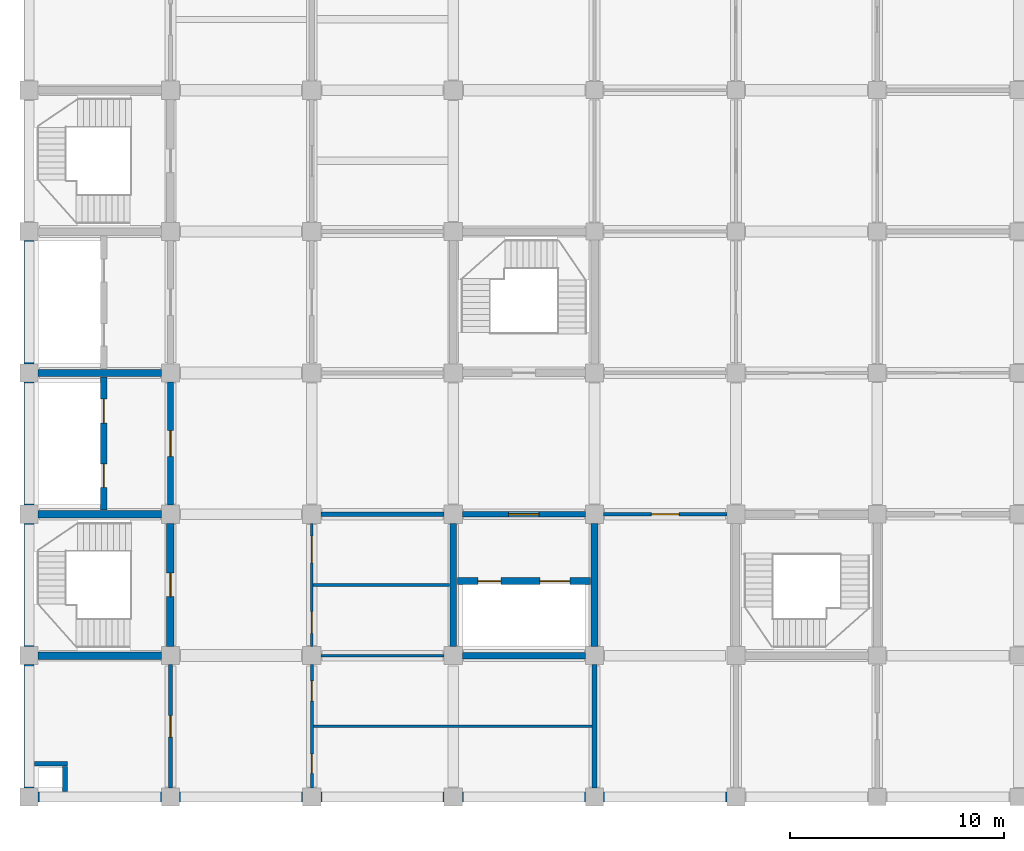
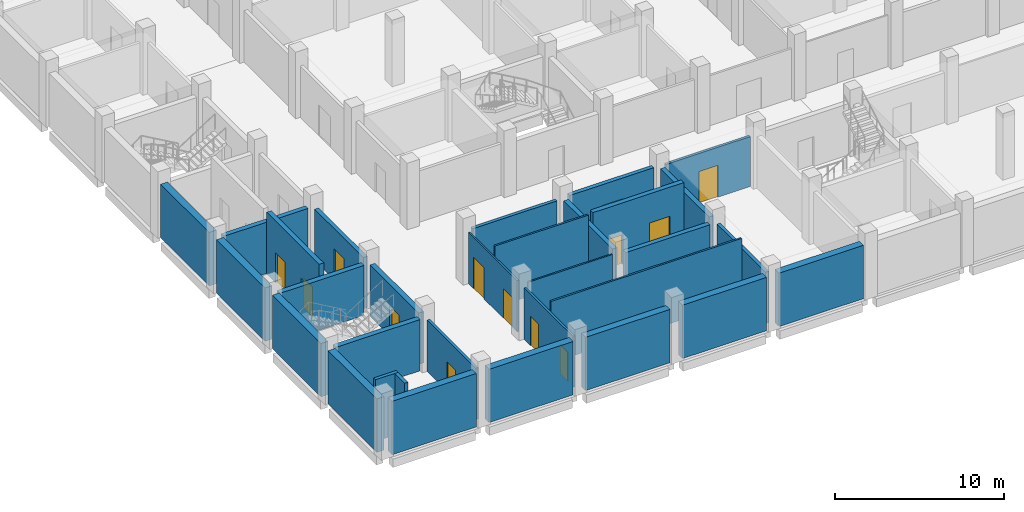
# One storey, part 17 of 34: 31 walls, 13 doors, 13 openings.
"""IFC4 building model written with IfcOpenShell, lengths in metres."""

from ifc_helpers import new_model, si_unit, direction, frame, frame_2d, origin, place, context, subcontext, project, spatial, rectangle, extrude, material, layer, layer_set, type_object, element, fill, save


model = new_model("IFC4")

# Units and contexts
model_context = context("Model", 3, precision=1e-05, world=origin(), true_north=direction((0.0, 1.0)))
body_context = subcontext(model_context, "Body", "Model", "MODEL_VIEW")
ifc_project = project(units=[si_unit("LENGTHUNIT", "METRE"), si_unit("AREAUNIT", "SQUARE_METRE"), si_unit("VOLUMEUNIT", "CUBIC_METRE"), si_unit("PLANEANGLEUNIT", "RADIAN"), si_unit("MASSUNIT", "GRAM", prefix="KILO")], contexts=[model_context])

# Site, building, storey
site_placement = place(None, origin())
site = spatial("IfcSite", under=ifc_project, at=site_placement, CompositionType="ELEMENT")
building_placement = place(site_placement, origin())
building = spatial("IfcBuilding", under=site, at=building_placement, Name="Rusizi Kubbe Research Institute", CompositionType="ELEMENT")
storey_placement = place(building_placement, frame((0.0, 0.0, 5.39990234375)))
storey = spatial("IfcBuildingStorey", under=building, at=storey_placement, Name="L01", CompositionType="ELEMENT", Elevation=5.39990234375)

# Walls
ifc_material_1 = material(Name="Concrete C45/55", Category="concrete")
ifc_layer_1 = layer(ifc_material_1, 0.35009765625)
ifc_layer_set_1 = layer_set([ifc_layer_1], Name="Concrete C45/55")
wall_type_1 = type_object("IfcWallType", Name="CRW-01", PredefinedType="SHEAR", material=ifc_layer_set_1)
wall_1_placement = place(storey_placement, frame((0.425048828125, 6.60009765625, 0.0), z_axis=(0.0, 0.0, 1.0), x_axis=(1.0, 0.0, 0.0)))
element("IfcWall", 1, at=wall_1_placement, inside=storey, type_object=wall_type_1, Name="Stair Core Shear Wall ST1 L01 S", PredefinedType="SHEAR", context=body_context, shape_type="SweptSolid", body=[
    extrude(rectangle(XDim=5.75, YDim=0.35009765625, at=frame_2d((2.875, 0.0))), origin(), (0.0, 0.0, 1.0), 3.7001953125),
])
wall_2_placement = place(storey_placement, frame((0.425048828125, 13.199951171875, 0.0), z_axis=(0.0, 0.0, 1.0), x_axis=(1.0, 0.0, 0.0)))
element("IfcWall", 2, at=wall_2_placement, inside=storey, type_object=wall_type_1, Name="Stair Core Shear Wall ST1 L01 N", PredefinedType="SHEAR", context=body_context, shape_type="SweptSolid", body=[
    extrude(rectangle(XDim=5.75, YDim=0.35009765625, at=frame_2d((2.875, 0.0))), origin(), (0.0, 0.0, 1.0), 3.60009765625),
])

# Wall, opening, door
wall_3_placement = place(storey_placement, frame((6.60009765625, 7.02490234375, 0.0), z_axis=(0.0, 0.0, 1.0), x_axis=(0.0, 1.0, 0.0)))
wall_3 = element("IfcWall", 3, at=wall_3_placement, inside=storey, type_object=wall_type_1, Name="Stair Core Shear Wall ST1 L01 E", PredefinedType="SHEAR", context=body_context, shape_type="SweptSolid", body=[
    extrude(rectangle(XDim=5.75, YDim=0.35009765625, at=frame_2d((2.875, 0.0))), origin(), (0.0, 0.0, 1.0), 3.7001953125),
])
opening_1_placement = place(wall_3_placement, frame((2.324951171875, 0.0, 0.0)))
opening_1 = element("IfcOpeningElement", 4, at=opening_1_placement, cuts=wall_3, Name="Opening D-01", PredefinedType="OPENING", context=body_context, shape_type="SweptSolid", body=[
    extrude(rectangle(XDim=1.10009765625, YDim=2.14990234375, at=frame_2d((0.550048828125, 1.074951171875))), frame((0.0, 0.18505859375, 0.0), z_axis=(0.0, -1.0, 0.0), x_axis=(1.0, 0.0, 0.0)), (0.0, 0.0, 1.0), 0.3701171875),
])
ifc_material_2 = material(Name="Fire-Rated Steel Frame and Acoustic Timber Leaf", Category="wood")
door_type_1 = type_object("IfcDoorType", Name="ID-STAIR-110", OperationType="NOTDEFINED", PredefinedType="DOOR", material=ifc_material_2)
door_1_placement = place(opening_1_placement, origin())
door_1 = element("IfcDoor", 5, at=door_1_placement, inside=storey, type_object=door_type_1, Name="Exit Stair Door ST1 L01", OperationType="SINGLE_SWING_LEFT", OverallHeight=2.14990234375, OverallWidth=1.10009765625, PredefinedType="DOOR", context=body_context, shape_type="SweptSolid", body=[
    extrude(rectangle(XDim=1.10009765625, YDim=2.14990234375, at=frame_2d((0.550048828125, 1.074951171875))), frame((0.0, 0.02490234375, 0.0), z_axis=(0.0, -1.0, 0.0), x_axis=(1.0, 0.0, 0.0)), (0.0, 0.0, 1.0), 0.050048828125),
])
fill(opening_1, door_1)

# Walls
ifc_material_3 = material(Name="Concrete C45/55", Category="concrete")
ifc_layer_2 = layer(ifc_material_3, 0.31494140625)
ifc_layer_set_2 = layer_set([ifc_layer_2], Name="Concrete C45/55")
wall_type_2 = type_object("IfcWallType", Name="CRW-02", PredefinedType="SHEAR", material=ifc_layer_set_2)
wall_4_placement = place(storey_placement, frame((0.425048828125, 19.800048828125, 0.0), z_axis=(0.0, 0.0, 1.0), x_axis=(1.0, 0.0, 0.0)))
element("IfcWall", 6, at=wall_4_placement, inside=storey, type_object=wall_type_2, Name="Lift Core Divider Wall (0,2-3) L01", PredefinedType="SHEAR", context=body_context, shape_type="SweptSolid", body=[
    extrude(rectangle(XDim=5.75, YDim=0.31494140625, at=frame_2d((2.875, 0.0))), origin(), (0.0, 0.0, 1.0), 3.7001953125),
])
wall_5_placement = place(storey_placement, frame((20.22509765625, 6.60009765625, 0.0), z_axis=(0.0, 0.0, 1.0), x_axis=(1.0, 0.0, 0.0)))
element("IfcWall", 7, at=wall_5_placement, inside=storey, type_object=wall_type_2, Name="Lab Lift Core Wall S (3,1) L01", PredefinedType="SHEAR", context=body_context, shape_type="SweptSolid", body=[
    extrude(rectangle(XDim=5.75, YDim=0.31494140625, at=frame_2d((2.875, 0.0))), origin(), (0.0, 0.0, 1.0), 3.60009765625),
])
for number, where, z_axis, x_axis, name in (
    (8, (19.800048828125, 7.02490234375, 0.0), (0.0, 0.0, 1.0), (0.0, 1.0, 0.0), "Lab Lift Core Wall W (3,1) L01"),
    (9, (26.39990234375, 7.02490234375, 0.0), (0.0, 0.0, 1.0), (0.0, 1.0, 0.0), "Lab Lift Core Wall E (3,1) L01"),
):
    element("IfcWall", number, at=place(storey_placement, frame(where, z_axis=z_axis, x_axis=x_axis)), inside=storey, type_object=wall_type_2, Name=name, PredefinedType="SHEAR", context=body_context, shape_type="SweptSolid", body=[
        extrude(rectangle(XDim=5.75, YDim=0.31494140625, at=frame_2d((2.875, 0.0))), origin(), (0.0, 0.0, 1.0), 3.7001953125),
    ])

# Wall, openings, doors
wall_6_placement = place(storey_placement, frame((3.47998046875, 13.39990234375, 0.0), z_axis=(0.0, 0.0, 1.0), x_axis=(0.0, 1.0, 0.0)))
wall_6 = element("IfcWall", 10, at=wall_6_placement, inside=storey, type_object=wall_type_2, Name="Firefighting Lift Shaft Front Wall L01", PredefinedType="SHEAR", context=body_context, shape_type="SweptSolid", body=[
    extrude(rectangle(XDim=6.2001953125, YDim=0.31494140625, at=frame_2d((3.10009765625, 0.0))), origin(), (0.0, 0.0, 1.0), 4.4501953125),
])
opening_2_placement = place(wall_6_placement, frame((1.050048828125, 0.0, 0.0)))
opening_2 = element("IfcOpeningElement", 11, at=opening_2_placement, cuts=wall_6, Name="Opening LD-01", PredefinedType="OPENING", context=body_context, shape_type="SweptSolid", body=[
    extrude(rectangle(XDim=1.10009765625, YDim=2.14990234375, at=frame_2d((0.550048828125, 1.074951171875))), frame((0.0, 0.16748046875, 0.0), z_axis=(0.0, -1.0, 0.0), x_axis=(1.0, 0.0, 0.0)), (0.0, 0.0, 1.0), 0.3349609375),
])
opening_3_placement = place(wall_6_placement, frame((4.050048828125, 0.0, 0.0)))
opening_3 = element("IfcOpeningElement", 12, at=opening_3_placement, cuts=wall_6, Name="Opening LD-02", PredefinedType="OPENING", context=body_context, shape_type="SweptSolid", body=[
    extrude(rectangle(XDim=1.1201171875, YDim=2.14990234375, at=frame_2d((0.56005859375, 1.074951171875))), frame((0.0, 0.16748046875, 0.0), z_axis=(0.0, -1.0, 0.0), x_axis=(1.0, 0.0, 0.0)), (0.0, 0.0, 1.0), 0.3349609375),
])
ifc_material_4 = material(Name="Brushed Stainless Steel Sliding Door", Category="steel")
door_type_2 = type_object("IfcDoorType", Name="LD-01", OperationType="DOUBLE_DOOR_SLIDING", PredefinedType="USERDEFINED", material=ifc_material_4)
door_2_placement = place(opening_2_placement, origin())
door_2 = element("IfcDoor", 13, at=door_2_placement, inside=storey, type_object=door_type_2, Name="Lift Landing Sliding Door FL1 L01", ObjectType="SLIDING DOOR", OperationType="DOUBLE_DOOR_SLIDING", OverallHeight=2.14990234375, OverallWidth=1.10009765625, PredefinedType="USERDEFINED", context=body_context, shape_type="SweptSolid", body=[
    extrude(rectangle(XDim=1.10009765625, YDim=2.14990234375, at=frame_2d((0.550048828125, 1.074951171875))), frame((0.0, 0.02490234375, 0.0), z_axis=(0.0, -1.0, 0.0), x_axis=(1.0, 0.0, 0.0)), (0.0, 0.0, 1.0), 0.050048828125),
])
fill(opening_2, door_2)
ifc_material_5 = material(Name="Brushed Stainless Steel Sliding Door", Category="steel")
door_type_3 = type_object("IfcDoorType", Name="LD-02", OperationType="DOUBLE_DOOR_SLIDING", PredefinedType="USERDEFINED", material=ifc_material_5)
door_3_placement = place(opening_3_placement, origin())
door_3 = element("IfcDoor", 14, at=door_3_placement, inside=storey, type_object=door_type_3, Name="Lift Landing Sliding Door FL2 L01", ObjectType="SLIDING DOOR", OperationType="DOUBLE_DOOR_SLIDING", OverallHeight=2.14990234375, OverallWidth=1.1201171875, PredefinedType="USERDEFINED", context=body_context, shape_type="SweptSolid", body=[
    extrude(rectangle(XDim=1.1201171875, YDim=2.14990234375, at=frame_2d((0.56005859375, 1.074951171875))), frame((0.0, 0.02490234375, 0.0), z_axis=(0.0, -1.0, 0.0), x_axis=(1.0, 0.0, 0.0)), (0.0, 0.0, 1.0), 0.050048828125),
])
fill(opening_3, door_3)

wall_7_placement = place(storey_placement, frame((20.0, 10.080078125, 0.0), z_axis=(0.0, 0.0, 1.0), x_axis=(1.0, 0.0, 0.0)))
wall_7 = element("IfcWall", 15, at=wall_7_placement, inside=storey, type_object=wall_type_2, Name="Goods Lift Shaft Front Wall L01", PredefinedType="SHEAR", context=body_context, shape_type="SweptSolid", body=[
    extrude(rectangle(XDim=6.199951171875, YDim=0.31494140625, at=frame_2d((3.10009765625, 0.0))), origin(), (0.0, 0.0, 1.0), 4.4501953125),
])
opening_4_placement = place(wall_7_placement, frame((0.949951171875, 0.0, 0.0)))
opening_4 = element("IfcOpeningElement", 16, at=opening_4_placement, cuts=wall_7, Name="Opening LD-05", PredefinedType="OPENING", context=body_context, shape_type="SweptSolid", body=[
    extrude(rectangle(XDim=1.080078125, YDim=2.14990234375, at=frame_2d((0.5400390625, 1.074951171875))), frame((0.0, 0.16748046875, 0.0), z_axis=(0.0, -1.0, 0.0), x_axis=(1.0, 0.0, 0.0)), (0.0, 0.0, 1.0), 0.3349609375),
])
opening_5_placement = place(wall_7_placement, frame((3.85009765625, 0.0, 0.0)))
opening_5 = element("IfcOpeningElement", 17, at=opening_5_placement, cuts=wall_7, Name="Opening LD-06", PredefinedType="OPENING", context=body_context, shape_type="SweptSolid", body=[
    extrude(rectangle(XDim=1.39990234375, YDim=2.35009765625, at=frame_2d((0.699951171875, 1.175048828125))), frame((0.0, 0.16748046875, 0.0), z_axis=(0.0, -1.0, 0.0), x_axis=(1.0, 0.0, 0.0)), (0.0, 0.0, 1.0), 0.3349609375),
])
ifc_material_6 = material(Name="Brushed Stainless Steel Sliding Door", Category="steel")
door_type_4 = type_object("IfcDoorType", Name="LD-05", OperationType="DOUBLE_DOOR_SLIDING", PredefinedType="USERDEFINED", material=ifc_material_6)
door_4_placement = place(opening_4_placement, origin())
door_4 = element("IfcDoor", 18, at=door_4_placement, inside=storey, type_object=door_type_4, Name="Lift Landing Sliding Door LP3 L01", ObjectType="SLIDING DOOR", OperationType="DOUBLE_DOOR_SLIDING", OverallHeight=2.14990234375, OverallWidth=1.080078125, PredefinedType="USERDEFINED", context=body_context, shape_type="SweptSolid", body=[
    extrude(rectangle(XDim=1.080078125, YDim=2.14990234375, at=frame_2d((0.5400390625, 1.074951171875))), frame((0.0, 0.02490234375, 0.0), z_axis=(0.0, -1.0, 0.0), x_axis=(1.0, 0.0, 0.0)), (0.0, 0.0, 1.0), 0.050048828125),
])
fill(opening_4, door_4)
ifc_material_7 = material(Name="Brushed Stainless Steel Sliding Door", Category="steel")
door_type_5 = type_object("IfcDoorType", Name="LD-06", OperationType="DOUBLE_DOOR_SLIDING", PredefinedType="USERDEFINED", material=ifc_material_7)
door_5_placement = place(opening_5_placement, origin())
door_5 = element("IfcDoor", 19, at=door_5_placement, inside=storey, type_object=door_type_5, Name="Lift Landing Sliding Door LG1 L01", ObjectType="SLIDING DOOR", OperationType="DOUBLE_DOOR_SLIDING", OverallHeight=2.35009765625, OverallWidth=1.39990234375, PredefinedType="USERDEFINED", context=body_context, shape_type="SweptSolid", body=[
    extrude(rectangle(XDim=1.39990234375, YDim=2.35009765625, at=frame_2d((0.699951171875, 1.175048828125))), frame((0.0, 0.02490234375, 0.0), z_axis=(0.0, -1.0, 0.0), x_axis=(1.0, 0.0, 0.0)), (0.0, 0.0, 1.0), 0.050048828125),
])
fill(opening_5, door_5)

# Walls
ifc_material_8 = material(Name="Concrete Blockwork Fire Partition", Category="masonry")
ifc_layer_3 = layer(ifc_material_8, 0.22509765625)
ifc_layer_set_3 = layer_set([ifc_layer_3], Name="Concrete Blockwork Fire Partition")
wall_type_3 = type_object("IfcWallType", Name="IW-01", PredefinedType="PARTITIONING", material=ifc_layer_set_3)
wall_8_placement = place(storey_placement, frame((1.679931640625, 0.260009765625, 0.0), z_axis=(0.0, 0.0, 1.0), x_axis=(0.0, 1.0, 0.0)))
element("IfcWall", 20, at=wall_8_placement, inside=storey, type_object=wall_type_3, Name="Riser Shaft Wall E L01", PredefinedType="PARTITIONING", context=body_context, shape_type="SweptSolid", body=[
    extrude(rectangle(XDim=1.169921875, YDim=0.22509765625, at=frame_2d((0.5849609375, 0.0))), origin(), (0.0, 0.0, 1.0), 4.4501953125),
])
wall_9_placement = place(storey_placement, frame((0.260009765625, 1.550048828125, 0.0), z_axis=(0.0, 0.0, 1.0), x_axis=(1.0, 0.0, 0.0)))
element("IfcWall", 21, at=wall_9_placement, inside=storey, type_object=wall_type_3, Name="Riser Shaft Wall N L01", PredefinedType="PARTITIONING", context=body_context, shape_type="SweptSolid", body=[
    extrude(rectangle(XDim=1.5400390625, YDim=0.22509765625, at=frame_2d((0.77001953125, 0.0))), origin(), (0.0, 0.0, 1.0), 4.4501953125),
])
wall_10_placement = place(storey_placement, frame((26.39990234375, 0.425048828125, 0.0), z_axis=(0.0, 0.0, 1.0), x_axis=(0.0, 1.0, 0.0)))
element("IfcWall", 22, at=wall_10_placement, inside=storey, type_object=wall_type_3, Name="Sanitary Core East Enclosing Wall L01", PredefinedType="PARTITIONING", context=body_context, shape_type="SweptSolid", body=[
    extrude(rectangle(XDim=5.75, YDim=0.22509765625, at=frame_2d((2.875, 0.0))), origin(), (0.0, 0.0, 1.0), 3.7001953125),
])
wall_11_placement = place(storey_placement, frame((13.625, 13.199951171875, 0.0), z_axis=(0.0, 0.0, 1.0), x_axis=(1.0, 0.0, 0.0)))
element("IfcWall", 23, at=wall_11_placement, inside=storey, type_object=wall_type_3, Name="Reagent Store North Corridor Wall L01", PredefinedType="PARTITIONING", context=body_context, shape_type="SweptSolid", body=[
    extrude(rectangle(XDim=5.75, YDim=0.22509765625, at=frame_2d((2.875, 0.0))), origin(), (0.0, 0.0, 1.0), 3.60009765625),
])

# Wall, opening, door
ifc_material_9 = material(Name="Acoustic Laboratory Partition", Category="masonry")
ifc_layer_4 = layer(ifc_material_9, 0.175048828125)
ifc_layer_set_4 = layer_set([ifc_layer_4], Name="Acoustic Laboratory Partition")
wall_type_4 = type_object("IfcWallType", Name="IW-03", PredefinedType="PARTITIONING", material=ifc_layer_set_4)
wall_12_placement = place(storey_placement, frame((6.60009765625, 0.425048828125, 0.0), z_axis=(0.0, 0.0, 1.0), x_axis=(0.0, 1.0, 0.0)))
wall_12 = element("IfcWall", 24, at=wall_12_placement, inside=storey, type_object=wall_type_4, Name="Interior Partition Wall L01 V1-0", PredefinedType="PARTITIONING", context=body_context, shape_type="SweptSolid", body=[
    extrude(rectangle(XDim=5.75, YDim=0.175048828125, at=frame_2d((2.875, 0.0))), origin(), (0.0, 0.0, 1.0), 3.7001953125),
])
opening_6_placement = place(wall_12_placement, frame((2.375, 0.0, 0.0)))
opening_6 = element("IfcOpeningElement", 25, at=opening_6_placement, cuts=wall_12, Name="Opening D-04", PredefinedType="OPENING", context=body_context, shape_type="SweptSolid", body=[
    extrude(rectangle(XDim=1.0, YDim=2.10009765625, at=frame_2d((0.5, 1.050048828125))), frame((0.0, 0.097412109375, 0.0), z_axis=(0.0, -1.0, 0.0), x_axis=(1.0, 0.0, 0.0)), (0.0, 0.0, 1.0), 0.195068359375),
])
ifc_material_10 = material(Name="Fire-Rated Steel Frame and Acoustic Timber Leaf", Category="wood")
door_type_6 = type_object("IfcDoorType", Name="ID-MEP-100", OperationType="NOTDEFINED", PredefinedType="DOOR", material=ifc_material_10)
door_6_placement = place(opening_6_placement, origin())
door_6 = element("IfcDoor", 26, at=door_6_placement, inside=storey, type_object=door_type_6, Name="Door to Service Spine Utility Riser Room (L01-MEP-01)", OperationType="SINGLE_SWING_RIGHT", OverallHeight=2.10009765625, OverallWidth=1.0, PredefinedType="DOOR", context=body_context, shape_type="SweptSolid", body=[
    extrude(rectangle(XDim=1.0, YDim=2.10009765625, at=frame_2d((0.5, 1.050048828125))), frame((0.0, 0.02490234375, 0.0), z_axis=(0.0, -1.0, 0.0), x_axis=(1.0, 0.0, 0.0)), (0.0, 0.0, 1.0), 0.050048828125),
])
fill(opening_6, door_6)

wall_13_placement = place(storey_placement, frame((26.824951171875, 13.199951171875, 0.0), z_axis=(0.0, 0.0, 1.0), x_axis=(1.0, 0.0, 0.0)))
wall_13 = element("IfcWall", 27, at=wall_13_placement, inside=storey, type_object=wall_type_4, Name="Interior Partition Wall L01 H4-2", PredefinedType="PARTITIONING", context=body_context, shape_type="SweptSolid", body=[
    extrude(rectangle(XDim=5.75, YDim=0.175048828125, at=frame_2d((2.875, 0.0))), origin(), (0.0, 0.0, 1.0), 3.60009765625),
])
opening_7_placement = place(wall_13_placement, frame((2.22509765625, 0.0, 0.0)))
opening_7 = element("IfcOpeningElement", 28, at=opening_7_placement, cuts=wall_13, Name="Opening D-14", PredefinedType="OPENING", context=body_context, shape_type="SweptSolid", body=[
    extrude(rectangle(XDim=1.300048828125, YDim=2.300048828125, at=frame_2d((0.64990234375, 1.14990234375))), frame((0.0, 0.097412109375, 0.0), z_axis=(0.0, -1.0, 0.0), x_axis=(1.0, 0.0, 0.0)), (0.0, 0.0, 1.0), 0.195068359375),
])
ifc_material_11 = material(Name="Fire-Rated Steel Frame and Acoustic Timber Leaf", Category="wood")
door_type_7 = type_object("IfcDoorType", Name="ID-LAB-130", OperationType="NOTDEFINED", PredefinedType="DOOR", material=ifc_material_11)
door_7_placement = place(opening_7_placement, origin())
door_7 = element("IfcDoor", 29, at=door_7_placement, inside=storey, type_object=door_type_7, Name="Door to Clean Room Process Suite (L01-EWS-01)", OperationType="SINGLE_SWING_RIGHT", OverallHeight=2.300048828125, OverallWidth=1.300048828125, PredefinedType="DOOR", context=body_context, shape_type="SweptSolid", body=[
    extrude(rectangle(XDim=1.300048828125, YDim=2.300048828125, at=frame_2d((0.64990234375, 1.14990234375))), frame((0.0, 0.02490234375, 0.0), z_axis=(0.0, -1.0, 0.0), x_axis=(1.0, 0.0, 0.0)), (0.0, 0.0, 1.0), 0.050048828125),
])
fill(opening_7, door_7)

# Wall, openings, doors
ifc_material_12 = material(Name="Write-up Glazed Acoustic Partition", Category="masonry")
ifc_layer_5 = layer(ifc_material_12, 0.139892578125)
ifc_layer_set_5 = layer_set([ifc_layer_5], Name="Write-up Glazed Acoustic Partition")
wall_type_5 = type_object("IfcWallType", Name="IW-05", PredefinedType="PARTITIONING", material=ifc_layer_set_5)
wall_14_placement = place(storey_placement, frame((13.199951171875, 0.425048828125, 0.0), z_axis=(0.0, 0.0, 1.0), x_axis=(0.0, 1.0, 0.0)))
wall_14 = element("IfcWall", 30, at=wall_14_placement, inside=storey, type_object=wall_type_5, Name="Sanitary Core West Corridor Wall L01", PredefinedType="PARTITIONING", context=body_context, shape_type="SweptSolid", body=[
    extrude(rectangle(XDim=5.75, YDim=0.139892578125, at=frame_2d((2.875, 0.0))), origin(), (0.0, 0.0, 1.0), 3.7001953125),
])
opening_8_placement = place(wall_14_placement, frame((0.675048828125, 0.0, 0.0)))
opening_8 = element("IfcOpeningElement", 31, at=opening_8_placement, cuts=wall_14, Name="Opening D-05", PredefinedType="OPENING", context=body_context, shape_type="SweptSolid", body=[
    extrude(rectangle(XDim=0.89990234375, YDim=2.10009765625, at=frame_2d((0.449951171875, 1.050048828125))), frame((0.0, 0.079833984375, 0.0), z_axis=(0.0, -1.0, 0.0), x_axis=(1.0, 0.0, 0.0)), (0.0, 0.0, 1.0), 0.159912109375),
])
opening_9_placement = place(wall_14_placement, frame((4.050048828125, 0.0, 0.0)))
opening_9 = element("IfcOpeningElement", 32, at=opening_9_placement, cuts=wall_14, Name="Opening D-06", PredefinedType="OPENING", context=body_context, shape_type="SweptSolid", body=[
    extrude(rectangle(XDim=0.949951171875, YDim=2.10009765625, at=frame_2d((0.47509765625, 1.050048828125))), frame((0.0, 0.079833984375, 0.0), z_axis=(0.0, -1.0, 0.0), x_axis=(1.0, 0.0, 0.0)), (0.0, 0.0, 1.0), 0.159912109375),
])
ifc_material_13 = material(Name="Fire-Rated Steel Frame and Acoustic Timber Leaf", Category="wood")
door_type_8 = type_object("IfcDoorType", Name="ID-WC-900", OperationType="NOTDEFINED", PredefinedType="DOOR", material=ifc_material_13)
door_8_placement = place(opening_8_placement, origin())
door_8 = element("IfcDoor", 33, at=door_8_placement, inside=storey, type_object=door_type_8, Name="Door to Male Toilet Room (L01-WC-M)", OperationType="SINGLE_SWING_LEFT", OverallHeight=2.10009765625, OverallWidth=0.89990234375, PredefinedType="DOOR", context=body_context, shape_type="SweptSolid", body=[
    extrude(rectangle(XDim=0.89990234375, YDim=2.10009765625, at=frame_2d((0.449951171875, 1.050048828125))), frame((0.0, 0.02490234375, 0.0), z_axis=(0.0, -1.0, 0.0), x_axis=(1.0, 0.0, 0.0)), (0.0, 0.0, 1.0), 0.050048828125),
])
fill(opening_8, door_8)
ifc_material_14 = material(Name="Fire-Rated Steel Frame and Acoustic Timber Leaf", Category="wood")
door_type_9 = type_object("IfcDoorType", Name="ID-WC-950", OperationType="NOTDEFINED", PredefinedType="DOOR", material=ifc_material_14)
door_9_placement = place(opening_9_placement, origin())
door_9 = element("IfcDoor", 34, at=door_9_placement, inside=storey, type_object=door_type_9, Name="Door to Female Toilet Room (L01-WC-F)", OperationType="SINGLE_SWING_RIGHT", OverallHeight=2.10009765625, OverallWidth=0.949951171875, PredefinedType="DOOR", context=body_context, shape_type="SweptSolid", body=[
    extrude(rectangle(XDim=0.949951171875, YDim=2.10009765625, at=frame_2d((0.47509765625, 1.050048828125))), frame((0.0, 0.02490234375, 0.0), z_axis=(0.0, -1.0, 0.0), x_axis=(1.0, 0.0, 0.0)), (0.0, 0.0, 1.0), 0.050048828125),
])
fill(opening_9, door_9)

# Walls
ifc_material_15 = material(Name="Sanitary Wet-Wall Partition", Category="masonry")
ifc_layer_6 = layer(ifc_material_15, 0.125)
ifc_layer_set_6 = layer_set([ifc_layer_6], Name="Sanitary Wet-Wall Partition")
wall_type_6 = type_object("IfcWallType", Name="IW-06", PredefinedType="PARTITIONING", material=ifc_layer_set_6)
wall_15_placement = place(storey_placement, frame((13.27490234375, 3.300048828125, 0.0), z_axis=(0.0, 0.0, 1.0), x_axis=(1.0, 0.0, 0.0)))
element("IfcWall", 35, at=wall_15_placement, inside=storey, type_object=wall_type_6, Name="Sanitary Divider Wall L01-1", PredefinedType="PARTITIONING", context=body_context, shape_type="SweptSolid", body=[
    extrude(rectangle(XDim=13.007568359375, YDim=0.125, at=frame_2d((6.50390625, 0.0))), origin(), (0.0, 0.0, 1.0), 4.4501953125),
])
wall_16_placement = place(storey_placement, frame((13.260009765625, 9.89990234375, 0.0), z_axis=(0.0, 0.0, 1.0), x_axis=(1.0, 0.0, 0.0)))
element("IfcWall", 36, at=wall_16_placement, inside=storey, type_object=wall_type_6, Name="Sanitary Divider Wall L01-2", PredefinedType="PARTITIONING", context=body_context, shape_type="SweptSolid", body=[
    extrude(rectangle(XDim=6.37744140625, YDim=0.125, at=frame_2d((3.188720703125, 0.0))), origin(), (0.0, 0.0, 1.0), 4.4501953125),
])
ifc_material_16 = material(Name="Sub-Suite Fire Partition", Category="masonry")
ifc_layer_7 = layer(ifc_material_16, 0.110107421875)
ifc_layer_set_7 = layer_set([ifc_layer_7], Name="Sub-Suite Fire Partition")
wall_type_7 = type_object("IfcWallType", Name="IW-07", PredefinedType="PARTITIONING", material=ifc_layer_set_7)
wall_17_placement = place(storey_placement, frame((13.625, 6.60009765625, 0.0), z_axis=(0.0, 0.0, 1.0), x_axis=(1.0, 0.0, 0.0)))
element("IfcWall", 37, at=wall_17_placement, inside=storey, type_object=wall_type_7, Name="Sanitary Core North Divider Wall L01", PredefinedType="PARTITIONING", context=body_context, shape_type="SweptSolid", body=[
    extrude(rectangle(XDim=5.75, YDim=0.110107421875, at=frame_2d((2.875, 0.0))), origin(), (0.0, 0.0, 1.0), 3.7001953125),
])

# Wall, openings, doors
wall_18_placement = place(storey_placement, frame((13.199951171875, 7.02490234375, 0.0), z_axis=(0.0, 0.0, 1.0), x_axis=(0.0, 1.0, 0.0)))
wall_18 = element("IfcWall", 38, at=wall_18_placement, inside=storey, type_object=wall_type_7, Name="Accessible WC and Store West Wall L01", PredefinedType="PARTITIONING", context=body_context, shape_type="SweptSolid", body=[
    extrude(rectangle(XDim=5.75, YDim=0.110107421875, at=frame_2d((2.875, 0.0))), origin(), (0.0, 0.0, 1.0), 3.7001953125),
])
opening_10_placement = place(wall_18_placement, frame((0.614990234375, 0.0, 0.0)))
opening_10 = element("IfcOpeningElement", 39, at=opening_10_placement, cuts=wall_18, Name="Opening D-07", PredefinedType="OPENING", context=body_context, shape_type="SweptSolid", body=[
    extrude(rectangle(XDim=1.02001953125, YDim=2.14990234375, at=frame_2d((0.510009765625, 1.074951171875))), frame((0.0, 0.06494140625, 0.0), z_axis=(0.0, -1.0, 0.0), x_axis=(1.0, 0.0, 0.0)), (0.0, 0.0, 1.0), 0.130126953125),
])
opening_11_placement = place(wall_18_placement, frame((3.89990234375, 0.0, 0.0)))
opening_11 = element("IfcOpeningElement", 40, at=opening_11_placement, cuts=wall_18, Name="Opening D-15", PredefinedType="OPENING", context=body_context, shape_type="SweptSolid", body=[
    extrude(rectangle(XDim=1.25, YDim=2.25, at=frame_2d((0.625, 1.125))), frame((0.0, 0.06494140625, 0.0), z_axis=(0.0, -1.0, 0.0), x_axis=(1.0, 0.0, 0.0)), (0.0, 0.0, 1.0), 0.130126953125),
])
ifc_material_17 = material(Name="Fire-Rated Steel Frame and Acoustic Timber Leaf", Category="wood")
door_type_10 = type_object("IfcDoorType", Name="ID-LAB-125", OperationType="NOTDEFINED", PredefinedType="DOOR", material=ifc_material_17)
door_10_placement = place(opening_11_placement, origin())
door_10 = element("IfcDoor", 41, at=door_10_placement, inside=storey, type_object=door_type_10, Name="Door to Laboratory Reagent Store (L01-STR-01)", OperationType="SINGLE_SWING_LEFT", OverallHeight=2.25, OverallWidth=1.25, PredefinedType="DOOR", context=body_context, shape_type="SweptSolid", body=[
    extrude(rectangle(XDim=1.25, YDim=2.25, at=frame_2d((0.625, 1.125))), frame((0.0, 0.02490234375, 0.0), z_axis=(0.0, -1.0, 0.0), x_axis=(1.0, 0.0, 0.0)), (0.0, 0.0, 1.0), 0.050048828125),
])
fill(opening_11, door_10)
ifc_material_18 = material(Name="Fire-Rated Steel Frame and Acoustic Timber Leaf", Category="wood")
door_type_11 = type_object("IfcDoorType", Name="ID-WC-ACC", OperationType="NOTDEFINED", PredefinedType="DOOR", material=ifc_material_18)
door_11_placement = place(opening_10_placement, origin())
door_11 = element("IfcDoor", 42, at=door_11_placement, inside=storey, type_object=door_type_11, Name="Door to Accessible Toilet Room (L01-WC-ACC)", OperationType="SINGLE_SWING_LEFT", OverallHeight=2.14990234375, OverallWidth=1.02001953125, PredefinedType="DOOR", context=body_context, shape_type="SweptSolid", body=[
    extrude(rectangle(XDim=1.02001953125, YDim=2.14990234375, at=frame_2d((0.510009765625, 1.074951171875))), frame((0.0, 0.02490234375, 0.0), z_axis=(0.0, -1.0, 0.0), x_axis=(1.0, 0.0, 0.0)), (0.0, 0.0, 1.0), 0.050048828125),
])
fill(opening_10, door_11)

# Walls
ifc_material_19 = material(Name="Concrete C40/50", Category="concrete")
ifc_layer_8 = layer(ifc_material_19, 0.47998046875)
ifc_layer_set_8 = layer_set([ifc_layer_8], Name="Concrete C40/50")
wall_type_8 = type_object("IfcWallType", Name="PW-01", PredefinedType="SOLIDWALL", material=ifc_layer_set_8)
for number, where, z_axis, x_axis, name in (
    (43, (0.425048828125, 0.0, 0.0), (0.0, 0.0, 1.0), (1.0, 0.0, 0.0), "Blind Party Wall L01 H0-0"),
    (44, (0.0, 0.425048828125, 0.0), (0.0, 0.0, 1.0), (0.0, 1.0, 0.0), "Blind Party Wall L01 V0-0"),
    (45, (0.0, 7.02490234375, 0.0), (0.0, 0.0, 1.0), (0.0, 1.0, 0.0), "Blind Party Wall L01 V0-1"),
    (46, (0.0, 13.625, 0.0), (0.0, 0.0, 1.0), (0.0, 1.0, 0.0), "Blind Party Wall L01 V0-2"),
    (47, (0.0, 20.22509765625, 0.0), (0.0, 0.0, 1.0), (0.0, 1.0, 0.0), "Blind Party Wall L01 V0-3"),
    (48, (7.02490234375, 0.0, 0.0), (0.0, 0.0, 1.0), (1.0, 0.0, 0.0), "Blind Party Wall L01 H1-0"),
    (49, (13.625, 0.0, 0.0), (0.0, 0.0, 1.0), (1.0, 0.0, 0.0), "Blind Party Wall L01 H2-0"),
    (50, (20.22509765625, 0.0, 0.0), (0.0, 0.0, 1.0), (1.0, 0.0, 0.0), "Blind Party Wall L01 H3-0"),
    (51, (26.824951171875, 0.0, 0.0), (0.0, 0.0, 1.0), (1.0, 0.0, 0.0), "Blind Party Wall L01 H4-0"),
):
    element("IfcWall", number, at=place(storey_placement, frame(where, z_axis=z_axis, x_axis=x_axis)), inside=storey, type_object=wall_type_8, Name=name, PredefinedType="SOLIDWALL", context=body_context, shape_type="SweptSolid", body=[
        extrude(rectangle(XDim=5.75, YDim=0.47998046875, at=frame_2d((2.875, 0.0))), origin(), (0.0, 0.0, 1.0), 3.85009765625),
    ])

# Wall, opening, door
ifc_material_20 = material(Name="Concrete C40/50", Category="concrete")
ifc_layer_9 = layer(ifc_material_20, 0.27490234375)
ifc_layer_set_9 = layer_set([ifc_layer_9], Name="Concrete C40/50")
wall_type_9 = type_object("IfcWallType", Name="SHW-01", PredefinedType="SHEAR", material=ifc_layer_set_9)
wall_19_placement = place(storey_placement, frame((6.60009765625, 13.625, 0.0), z_axis=(0.0, 0.0, 1.0), x_axis=(0.0, 1.0, 0.0)))
wall_19 = element("IfcWall", 52, at=wall_19_placement, inside=storey, type_object=wall_type_9, Name="Firefighting Lobby Wall L01", PredefinedType="SHEAR", context=body_context, shape_type="SweptSolid", body=[
    extrude(rectangle(XDim=5.75, YDim=0.27490234375, at=frame_2d((2.875, 0.0))), origin(), (0.0, 0.0, 1.0), 3.7001953125),
])
opening_12_placement = place(wall_19_placement, frame((2.27490234375, 0.0, 0.0)))
opening_12 = element("IfcOpeningElement", 53, at=opening_12_placement, cuts=wall_19, Name="Opening D-03", PredefinedType="OPENING", context=body_context, shape_type="SweptSolid", body=[
    extrude(rectangle(XDim=1.199951171875, YDim=2.25, at=frame_2d((0.60009765625, 1.125))), frame((0.0, 0.1474609375, 0.0), z_axis=(0.0, -1.0, 0.0), x_axis=(1.0, 0.0, 0.0)), (0.0, 0.0, 1.0), 0.294921875),
])
ifc_material_21 = material(Name="Fire-Rated Steel Frame and Acoustic Timber Leaf", Category="wood")
door_type_12 = type_object("IfcDoorType", Name="ID-FF-120", OperationType="NOTDEFINED", PredefinedType="DOOR", material=ifc_material_21)
door_12_placement = place(opening_12_placement, origin())
door_12 = element("IfcDoor", 54, at=door_12_placement, inside=storey, type_object=door_type_12, Name="Door to Firefighting Lift Lobby (L01-FFL-01)", OperationType="SINGLE_SWING_LEFT", OverallHeight=2.25, OverallWidth=1.199951171875, PredefinedType="DOOR", context=body_context, shape_type="SweptSolid", body=[
    extrude(rectangle(XDim=1.199951171875, YDim=2.25, at=frame_2d((0.60009765625, 1.125))), frame((0.0, 0.02490234375, 0.0), z_axis=(0.0, -1.0, 0.0), x_axis=(1.0, 0.0, 0.0)), (0.0, 0.0, 1.0), 0.050048828125),
])
fill(opening_12, door_12)

wall_20_placement = place(storey_placement, frame((20.22509765625, 13.199951171875, 0.0), z_axis=(0.0, 0.0, 1.0), x_axis=(1.0, 0.0, 0.0)))
wall_20 = element("IfcWall", 55, at=wall_20_placement, inside=storey, type_object=wall_type_9, Name="Goods Lift Lobby Wall L01", PredefinedType="SHEAR", context=body_context, shape_type="SweptSolid", body=[
    extrude(rectangle(XDim=5.75, YDim=0.27490234375, at=frame_2d((2.875, 0.0))), origin(), (0.0, 0.0, 1.0), 3.7001953125),
])
opening_13_placement = place(wall_20_placement, frame((2.1650390625, 0.0, 0.0)))
opening_13 = element("IfcOpeningElement", 56, at=opening_13_placement, cuts=wall_20, Name="Opening D-22", PredefinedType="OPENING", context=body_context, shape_type="SweptSolid", body=[
    extrude(rectangle(XDim=1.419921875, YDim=2.199951171875, at=frame_2d((0.7099609375, 1.10009765625))), frame((0.0, 0.1474609375, 0.0), z_axis=(0.0, -1.0, 0.0), x_axis=(1.0, 0.0, 0.0)), (0.0, 0.0, 1.0), 0.294921875),
])
ifc_material_22 = material(Name="Fire-Rated Steel Frame and Acoustic Timber Leaf", Category="wood")
door_type_13 = type_object("IfcDoorType", Name="ID-STR-142", OperationType="DOUBLE_DOOR_SINGLE_SWING", PredefinedType="DOOR", material=ifc_material_22)
door_13_placement = place(opening_13_placement, origin())
door_13 = element("IfcDoor", 57, at=door_13_placement, inside=storey, type_object=door_type_13, Name="Door to Laboratory Goods Lift Lobby (L01-GLB-01)", OperationType="DOUBLE_DOOR_SINGLE_SWING", OverallHeight=2.199951171875, OverallWidth=1.419921875, PredefinedType="DOOR", context=body_context, shape_type="SweptSolid", body=[
    extrude(rectangle(XDim=1.419921875, YDim=2.199951171875, at=frame_2d((0.7099609375, 1.10009765625))), frame((0.0, 0.02490234375, 0.0), z_axis=(0.0, -1.0, 0.0), x_axis=(1.0, 0.0, 0.0)), (0.0, 0.0, 1.0), 0.050048828125),
])
fill(opening_13, door_13)

save(model, "model.ifc")
